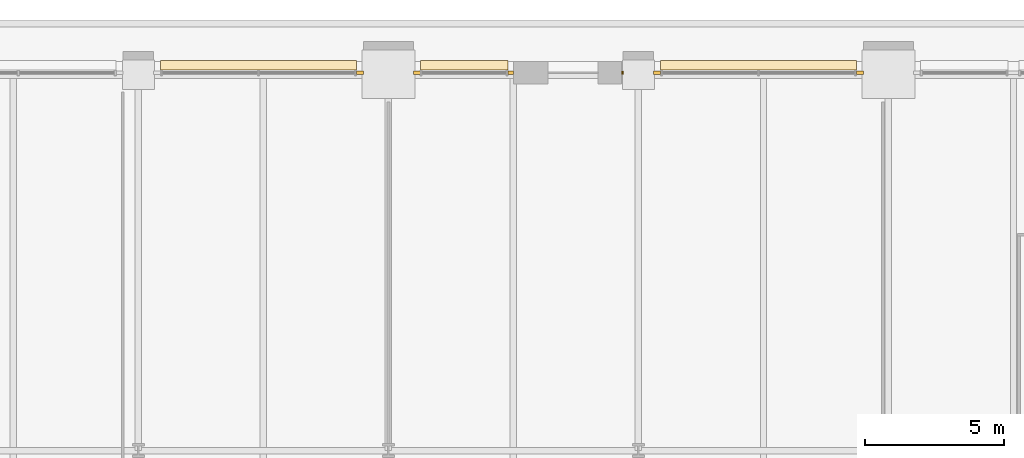
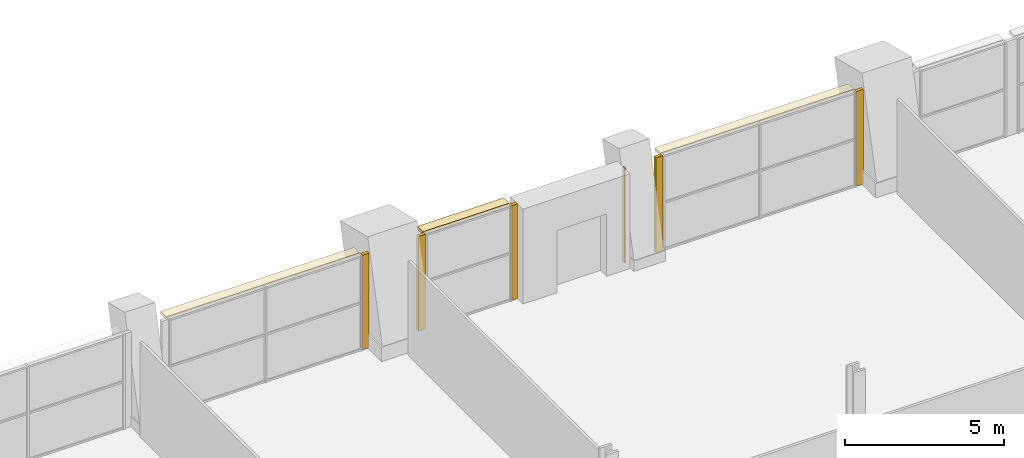
# One storey, part 23 of 26: 9 coverings.
"""IFC4 building model written with IfcOpenShell, lengths in metres."""

from ifc_helpers import new_model, si_unit, direction, frame, origin, origin_2d, place, context, subcontext, project, spatial, polyline, rectangle, outline, extrude, material, layer, layer_set, type_object, element, save


model = new_model("IFC4")

# Units and contexts
model_context = context("Model", 3, precision=1e-05, world=origin(), true_north=direction((0.0, 1.0)))
body_context = subcontext(model_context, "Body", "Model", "MODEL_VIEW")
ifc_project = project(units=[si_unit("LENGTHUNIT", "METRE"), si_unit("AREAUNIT", "SQUARE_METRE"), si_unit("VOLUMEUNIT", "CUBIC_METRE"), si_unit("PLANEANGLEUNIT", "RADIAN"), si_unit("MASSUNIT", "GRAM", prefix="KILO")], contexts=[model_context])

# Site, building, storey
site_placement = place(None, origin())
site = spatial("IfcSite", under=ifc_project, at=site_placement, CompositionType="ELEMENT")
building_placement = place(site_placement, origin())
building = spatial("IfcBuilding", under=site, at=building_placement, Name="Zellij Exchange Tower", CompositionType="ELEMENT")
storey_placement = place(building_placement, frame((0.0, 0.0, 100.5)))
storey = spatial("IfcBuildingStorey", under=building, at=storey_placement, Name="L21", CompositionType="ELEMENT", Elevation=100.5)

# Coverings
ifc_material_1 = material(Name="Limestone cladding", Category="masonry")
ifc_layer_1 = layer(ifc_material_1, 0.1201171875)
ifc_layer_set_1 = layer_set([ifc_layer_1], Name="Limestone cladding")
covering_type_1 = type_object("IfcCoveringType", Name="ENV-CV18 Glazing closer 120", PredefinedType="CLADDING", material=ifc_layer_set_1)
for number, where, z_axis, x_axis, name in (
    (1, (0.675048828125, 18.10009765625, 0.0), (0.0, 0.0, 1.0), (-1.0, 0.0, 0.0), "Glazing closer"),
    (2, (7.97509765625, 18.10009765625, 0.0), (0.0, 0.0, 1.0), (1.0, 0.0, 0.0), "Glazing closer"),
    (3, (-7.97509765625, 18.10009765625, 0.0), (0.0, 0.0, 1.0), (-1.0, 0.0, 0.0), "Glazing closer"),
    (4, (-10.02490234375, 18.10009765625, 0.0), (0.0, 0.0, 1.0), (1.0, 0.0, 0.0), "Glazing closer"),
):
    element("IfcCovering", number, at=place(storey_placement, frame(where, z_axis=z_axis, x_axis=x_axis)), inside=storey, type_object=covering_type_1, Name=name, PredefinedType="CLADDING", context=body_context, shape_type="SweptSolid", body=[
        extrude(rectangle(XDim=0.25, YDim=0.1201171875, at=origin_2d()), origin(), (0.0, 0.0, 1.0), 3.64990234375),
    ])
covering_1_placement = place(storey_placement, frame((-4.60009765625, 18.10009765625, 0.0), z_axis=(0.0, 0.0, 1.0), x_axis=(1.0, 0.0, 0.0)))
element("IfcCovering", 5, at=covering_1_placement, inside=storey, type_object=covering_type_1, Name="Glazing closer", PredefinedType="CLADDING", context=body_context, shape_type="SweptSolid", body=[
    extrude(rectangle(XDim=0.199951171875, YDim=0.1201171875, at=origin_2d()), origin(), (0.0, 0.0, 1.0), 3.64990234375),
])
covering_2_placement = place(storey_placement, frame((-0.574951171875, 18.10009765625, 0.0), z_axis=(0.0, 0.0, 1.0), x_axis=(1.0, 0.0, 0.0)))
element("IfcCovering", 6, at=covering_2_placement, inside=storey, type_object=covering_type_1, Name="Glazing closer", PredefinedType="CLADDING", context=body_context, shape_type="SweptSolid", body=[
    extrude(rectangle(XDim=0.050048828125, YDim=0.1201171875, at=origin_2d()), origin(), (0.0, 0.0, 1.0), 3.64990234375),
])
ifc_material_2 = material(Name="Limestone sunshade", Category="masonry")
ifc_layer_2 = layer(ifc_material_2, 0.1201171875)
ifc_layer_set_2 = layer_set([ifc_layer_2], Name="Limestone sunshade")
covering_type_2 = type_object("IfcCoveringType", Name="ENV-SC2 Stone sunshade 120", PredefinedType="USERDEFINED", material=ifc_layer_set_2)
covering_3_placement = place(storey_placement, frame((0.0, 0.0, 3.530029296875)))
element("IfcCovering", 7, at=covering_3_placement, inside=storey, type_object=covering_type_2, Name="Stone sunshade", ObjectType="SUNSHADE", PredefinedType="USERDEFINED", context=body_context, shape_type="SweptSolid", body=[
    extrude(outline(polyline([(7.85009765625, 18.199951171875), (0.800048828125, 18.199951171875), (0.800048828125, 18.550048828125), (7.85009765625, 18.550048828125), (7.85009765625, 18.199951171875)])), origin(), (0.0, 0.0, 1.0), 0.119873046875),
])
covering_4_placement = place(storey_placement, frame((0.0, 0.0, 3.530029296875)))
element("IfcCovering", 8, at=covering_4_placement, inside=storey, type_object=covering_type_2, Name="Stone sunshade", ObjectType="SUNSHADE", PredefinedType="USERDEFINED", context=body_context, shape_type="SweptSolid", body=[
    extrude(outline(polyline([(-4.699951171875, 18.199951171875), (-7.85009765625, 18.199951171875), (-7.85009765625, 18.550048828125), (-4.699951171875, 18.550048828125), (-4.699951171875, 18.199951171875)])), origin(), (0.0, 0.0, 1.0), 0.119873046875),
])
covering_5_placement = place(storey_placement, frame((0.0, 0.0, 3.530029296875)))
element("IfcCovering", 9, at=covering_5_placement, inside=storey, type_object=covering_type_2, Name="Stone sunshade", ObjectType="SUNSHADE", PredefinedType="USERDEFINED", context=body_context, shape_type="SweptSolid", body=[
    extrude(outline(polyline([(-10.14990234375, 18.199951171875), (-17.199951171875, 18.199951171875), (-17.199951171875, 18.550048828125), (-10.14990234375, 18.550048828125), (-10.14990234375, 18.199951171875)])), origin(), (0.0, 0.0, 1.0), 0.119873046875),
])

save(model, "model.ifc")
